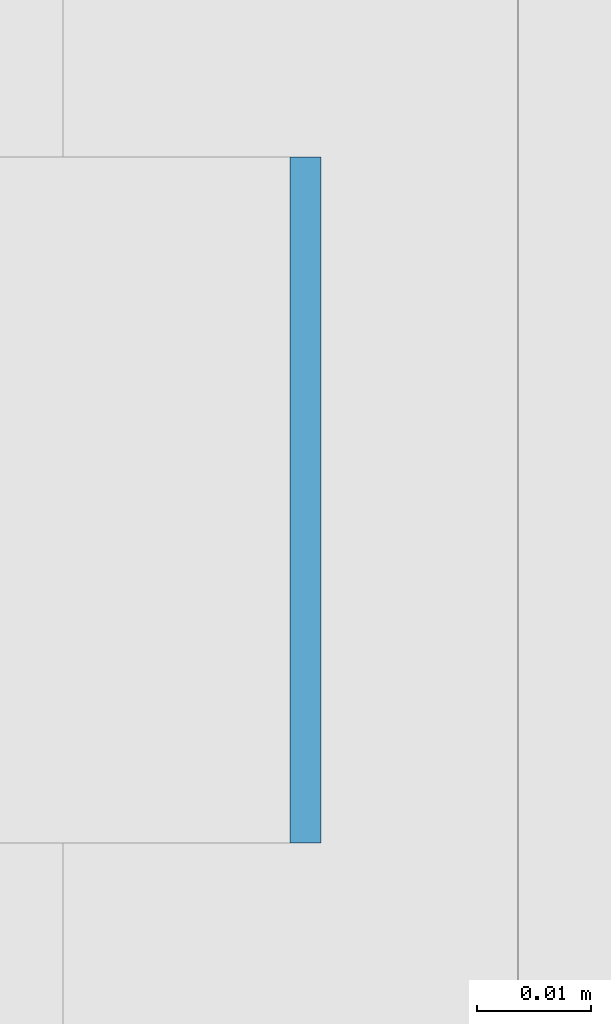
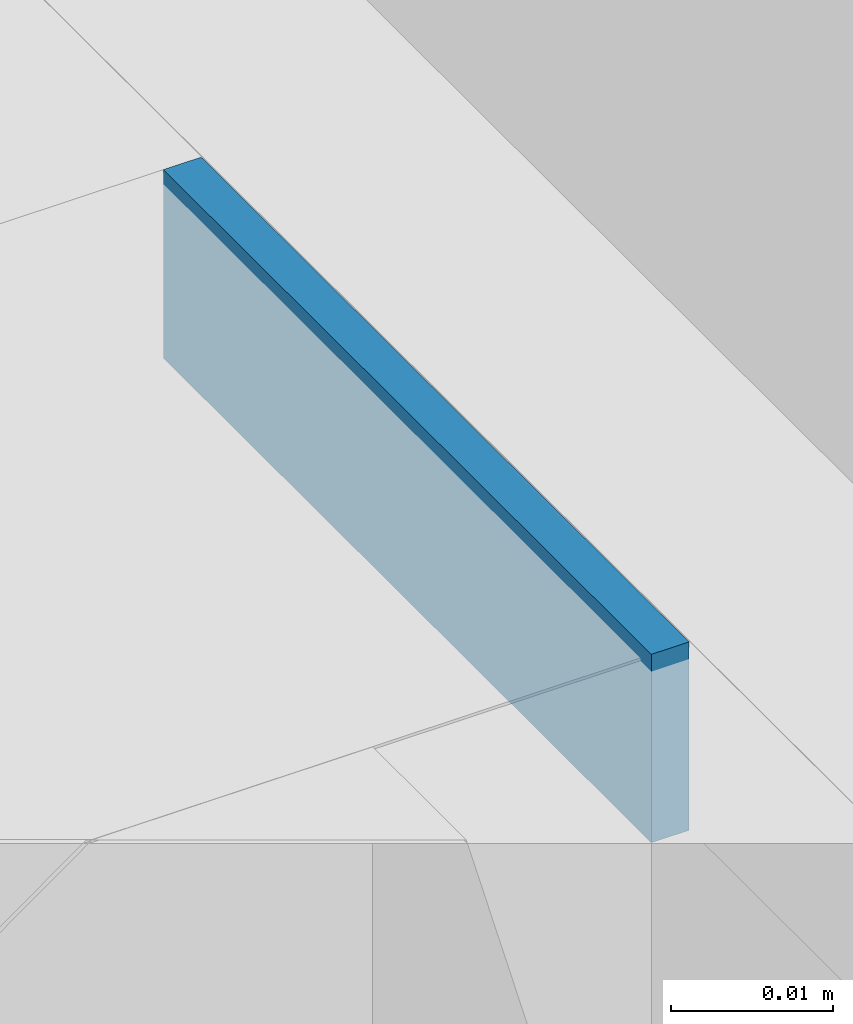
# One storey, part 319 of 646: 1 discrete accessory.
"""IFC4 building model written with IfcOpenShell, lengths in metres."""

import ifcopenshell
import ifcopenshell.guid

model = None  # the IFC model being written
_history = None  # IfcOwnerHistory: only IFC2X3 demands one
_inside = {}  # id of a spatial element -> (the spatial element, [elements in it])
_under = {}  # id of a project, library or spatial element -> (it, [spatial elements below it])
_declared = {}  # id of a project -> (the project, [libraries it declares])
_typed = {}  # id of a type object -> (the type object, [elements of that type])
_made_of = {}  # id of a material, layer set ... -> (it, [elements and type objects made of it])


def new_model(schema):
    """Start an empty IFC model of exactly this schema.

    Asked for "IFC4X3", IfcOpenShell would pick the latest addendum, in which some entities
    have other attributes; the version numbers below select the first issue.
    IFC2X3 requires an IfcOwnerHistory on every rooted entity: one is made here for all.
    """
    global model, _history
    if schema == "IFC4X3":
        model = ifcopenshell.file(schema_version=(4, 3, 0, 0))
    else:
        model = ifcopenshell.file(schema=schema)
    _inside.clear()
    _under.clear()
    _declared.clear()
    _typed.clear()
    _made_of.clear()
    _history = None
    if model.schema == "IFC2X3":
        org = make("IfcOrganization", Name="unknown")
        user = make(
            "IfcPersonAndOrganization",
            ThePerson=make("IfcPerson", FamilyName="unknown"),
            TheOrganization=org,
        )
        app = make(
            "IfcApplication",
            ApplicationDeveloper=org,
            Version="unknown",
            ApplicationFullName="unknown",
            ApplicationIdentifier="unknown",
        )
        _history = make(
            "IfcOwnerHistory",
            OwningUser=user,
            OwningApplication=app,
            ChangeAction="ADDED",
            CreationDate=0,
        )
    return model


def make(cls, **values):
    """One entity of the class cls with the attributes given. An attribute that is None is left unset."""
    return model.create_entity(
        cls, **{name: value for name, value in values.items() if value is not None}
    )


def rooted(cls, **values):
    """An entity with a GlobalId (a new one), such as an element, a storey or a relation."""
    return make(cls, GlobalId=ifcopenshell.guid.new(), OwnerHistory=_history, **values)


def si_unit(unit_type, name, prefix=None):
    """IfcSIUnit, for example si_unit("LENGTHUNIT", "METRE", prefix="MILLI")."""
    return make("IfcSIUnit", UnitType=unit_type, Prefix=prefix, Name=name)


def assignment(units):
    """IfcUnitAssignment: the units of a project."""
    return None if units is None else make("IfcUnitAssignment", Units=units)


def point(xyz):
    """IfcCartesianPoint."""
    return None if xyz is None else make("IfcCartesianPoint", Coordinates=xyz)


def direction(xyz):
    """IfcDirection."""
    return None if xyz is None else make("IfcDirection", DirectionRatios=xyz)


def frame(location, z_axis=None, x_axis=None):
    """IfcAxis2Placement3D, a coordinate frame: its origin and axes. An axis left out is left unset."""
    return make(
        "IfcAxis2Placement3D",
        Location=point(location),
        Axis=direction(z_axis),
        RefDirection=direction(x_axis),
    )


def frame_2d(location, x_axis=None):
    """IfcAxis2Placement2D, a coordinate frame in the plane: its origin and x axis."""
    return make(
        "IfcAxis2Placement2D", Location=point(location), RefDirection=direction(x_axis)
    )


def origin():
    """The frame at (0, 0, 0) with its axes left unset."""
    return frame((0.0, 0.0, 0.0))


def origin_2d():
    """The frame at (0, 0) in the plane with its x axis left unset."""
    return frame_2d((0.0, 0.0))


def place(relative_to, where):
    """IfcLocalPlacement: puts the frame where relative to a parent placement (None: the world)."""
    return make(
        "IfcLocalPlacement", PlacementRelTo=relative_to, RelativePlacement=where
    )


def context(
    kind, dimensions, precision=None, world=None, true_north=None, identifier=None
):
    """IfcGeometricRepresentationContext, for example the 3D "Model" context."""
    return make(
        "IfcGeometricRepresentationContext",
        ContextIdentifier=identifier,
        ContextType=kind,
        CoordinateSpaceDimension=dimensions,
        Precision=precision,
        WorldCoordinateSystem=world,
        TrueNorth=true_north,
    )


def subcontext(parent, identifier, kind, view, scale=None):
    """IfcGeometricRepresentationSubContext, for example "Body" below "Model"."""
    return make(
        "IfcGeometricRepresentationSubContext",
        ContextIdentifier=identifier,
        ContextType=kind,
        ParentContext=parent,
        TargetScale=scale,
        TargetView=view,
    )


def project(units=None, contexts=None):
    """IfcProject with its units and contexts."""
    return rooted(
        "IfcProject",
        Name="project",
        RepresentationContexts=contexts,
        UnitsInContext=assignment(units),
    )


def spatial(cls, under=None, at=None, **own):
    """A site, building, storey or space (cls), placed at a placement, below another one or the project."""
    s = rooted(cls, ObjectPlacement=at, **own)
    if under is not None:
        _under.setdefault(under.id(), (under, []))[1].append(s)
    return s


def profile(cls, at=None, kind="AREA", **sizes):
    """A parametric profile (cls). Its sizes go by their IFC names, for example OverallWidth=200.0."""
    return make(cls, ProfileType=kind, Position=at, **sizes)


def rectangle(**sizes):
    """IfcRectangleProfileDef."""
    return profile("IfcRectangleProfileDef", **sizes)


def extrude(swept, where, along, depth):
    """IfcExtrudedAreaSolid: the profile swept, set in the frame where, extruded along a direction by depth."""
    return make(
        "IfcExtrudedAreaSolid",
        SweptArea=swept,
        Position=where,
        ExtrudedDirection=direction(along),
        Depth=depth,
    )


def shape(context_of_items, identifier, shape_type, items):
    """IfcShapeRepresentation: the items that make up one representation, for example the "Body"."""
    return make(
        "IfcShapeRepresentation",
        ContextOfItems=context_of_items,
        RepresentationIdentifier=identifier,
        RepresentationType=shape_type,
        Items=items,
    )


def material(Name=None, Category=None):
    """IfcMaterial."""
    return make("IfcMaterial", Name=Name, Category=Category)


def made_of(thing, what):
    """Note that an element or type object is made of a material, layer set ...; save() writes the relation."""
    if what is not None:
        _made_of.setdefault(what.id(), (what, []))[1].append(thing)
    return thing


def type_object(cls, material=None, **own):
    """A type object (cls), such as IfcWallType, which elements share."""
    return made_of(rooted(cls, **own), material)


def element(
    cls,
    number,
    at=None,
    inside=None,
    cuts=None,
    type_object=None,
    material=None,
    context=None,
    identifier="Body",
    shape_type=None,
    held_by="IfcProductDefinitionShape",
    body=None,
    shapes=None,
    **own,
):
    """One element of the class cls, such as IfcWall. Its Tag is "e" and its number.

    at: its placement. inside: the storey or other place that contains it. cuts: it is an
    opening in that element (IfcRelVoidsElement). A single representation is given by context,
    identifier, shape_type and body (its items); several are given by shapes. held_by: the class
    of the entity that holds the representations. save() writes the other relations.
    """
    e = rooted(cls, Tag="e%d" % number, ObjectPlacement=at, **own)
    if body is not None:
        shapes = [shape(context, identifier, shape_type, body)]
    if shapes is not None:
        e.Representation = make(held_by, Representations=shapes)
    if inside is not None:
        _inside.setdefault(inside.id(), (inside, []))[1].append(e)
    if cuts is not None:
        rooted(
            "IfcRelVoidsElement", RelatingBuildingElement=cuts, RelatedOpeningElement=e
        )
    if type_object is not None:
        _typed.setdefault(type_object.id(), (type_object, []))[1].append(e)
    return made_of(e, material)


def aggregate(whole, parts):
    """IfcRelAggregates: a whole, such as a stair, and the parts it consists of."""
    return rooted("IfcRelAggregates", RelatingObject=whole, RelatedObjects=parts)


def save(model, path):
    """Write the relations noted so far, then the file.

    IfcRelAggregates (storeys below a building ...), IfcRelContainedInSpatialStructure (elements
    in a storey), IfcRelDefinesByType, IfcRelAssociatesMaterial and IfcRelDeclares: one each for
    every whole, place, type object, material and project.
    """
    for whole, parts in _under.values():
        aggregate(whole, parts)
    for where, things in _inside.values():
        rooted(
            "IfcRelContainedInSpatialStructure",
            RelatedElements=things,
            RelatingStructure=where,
        )
    for kind, things in _typed.values():
        rooted("IfcRelDefinesByType", RelatedObjects=things, RelatingType=kind)
    for what, things in _made_of.values():
        rooted("IfcRelAssociatesMaterial", RelatedObjects=things, RelatingMaterial=what)
    for by, libraries in _declared.values():
        rooted("IfcRelDeclares", RelatingContext=by, RelatedDefinitions=libraries)
    model.write(path)


model = new_model("IFC4")

# Units and contexts
model_context = context("Model", 3, precision=1e-05, world=origin(), true_north=direction((0.0, 1.0)))
body_context = subcontext(model_context, "Body", "Model", "MODEL_VIEW")
ifc_project = project(units=[si_unit("LENGTHUNIT", "METRE"), si_unit("AREAUNIT", "SQUARE_METRE"), si_unit("VOLUMEUNIT", "CUBIC_METRE"), si_unit("PLANEANGLEUNIT", "RADIAN"), si_unit("MASSUNIT", "GRAM", prefix="KILO")], contexts=[model_context])

# Site, building, storey
site_placement = place(None, origin())
site = spatial("IfcSite", under=ifc_project, at=site_placement, CompositionType="ELEMENT")
building_placement = place(site_placement, origin())
building = spatial("IfcBuilding", under=site, at=building_placement, Name="Silverbay Arena", CompositionType="ELEMENT")
storey_placement = place(building_placement, frame((0.0, 0.0, 33.5)))
storey = spatial("IfcBuildingStorey", under=building, at=storey_placement, Name="L05", CompositionType="ELEMENT", Elevation=33.5)

# Discrete accessory
ifc_material = material(Name="Steel S355", Category="steel")
discrete_accessory_type = type_object("IfcDiscreteAccessoryType", Name="Steel bracket plate", PredefinedType="BRACKET", material=ifc_material)
discrete_accessory_placement = place(storey_placement, frame((53.871337890625, 73.28564453125, 12.98583984375), z_axis=(0.0, 0.0, 1.0), x_axis=(1.0, 0.0, 0.0)))
element("IfcDiscreteAccessory", 1, at=discrete_accessory_placement, inside=storey, type_object=discrete_accessory_type, Name="Curtain wall packing plate", PredefinedType="BRACKET", context=body_context, shape_type="SweptSolid", body=[
    extrude(rectangle(XDim=0.002685546875, YDim=0.06005859375, at=origin_2d()), origin(), (0.0, 0.0, 1.0), 0.01416015625),
])

save(model, "model.ifc")
